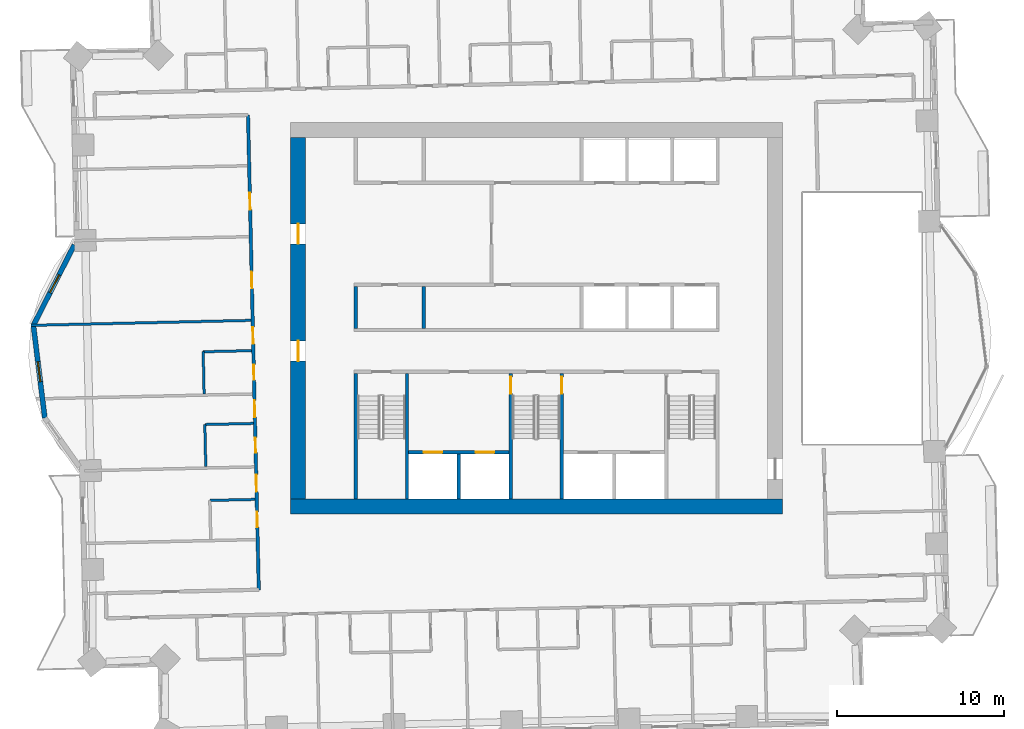
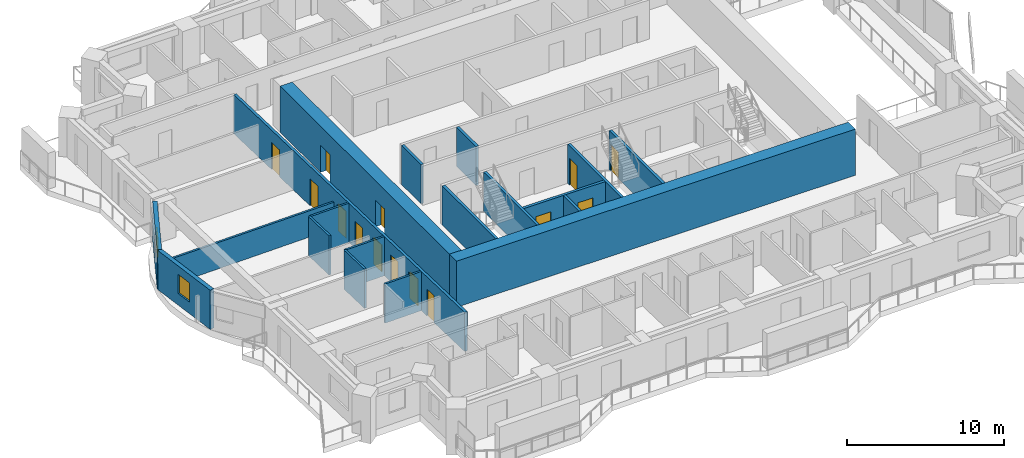
# One storey, part 7 of 16: 19 walls, 14 doors, 2 windows, 16 openings.
"""IFC4 building model written with IfcOpenShell, lengths in metres."""

from ifc_helpers import new_model, si_unit, direction, frame, frame_2d, origin, place, context, subcontext, project, spatial, rectangle, extrude, material, layer, layer_set, type_object, element, fill, save


model = new_model("IFC4")

# Units and contexts
model_context = context("Model", 3, precision=1e-05, world=origin(), true_north=direction((0.0, 1.0)))
body_context = subcontext(model_context, "Body", "Model", "MODEL_VIEW")
ifc_project = project(units=[si_unit("LENGTHUNIT", "METRE"), si_unit("AREAUNIT", "SQUARE_METRE"), si_unit("VOLUMEUNIT", "CUBIC_METRE"), si_unit("PLANEANGLEUNIT", "RADIAN"), si_unit("MASSUNIT", "GRAM", prefix="KILO")], contexts=[model_context])

# Site, building, storey
site_placement = place(None, origin())
site = spatial("IfcSite", under=ifc_project, at=site_placement, CompositionType="ELEMENT")
building_placement = place(site_placement, origin())
building = spatial("IfcBuilding", under=site, at=building_placement, Name="Mangrove Gate Tower", CompositionType="ELEMENT")
storey_placement = place(building_placement, frame((0.0, 0.0, 144.5)))
storey = spatial("IfcBuildingStorey", under=building, at=storey_placement, Name="L36", CompositionType="ELEMENT", Elevation=144.5)

# Walls
ifc_material_1 = material(Name="Concrete C32/40", Category="concrete")
ifc_layer_1 = layer(ifc_material_1, 0.199951171875)
ifc_layer_set_1 = layer_set([ifc_layer_1], Name="Core room wall 200 C32/40")
wall_type_1 = type_object("IfcWallType", Name="Core room wall 200 C32/40", PredefinedType="STANDARD", material=ifc_layer_set_1)
for number, where, z_axis, x_axis, name in (
    (1, (-10.800048828125, -0.60009765625, 0.0), (0.0, 0.0, 1.0), (0.0, 1.0, 0.0), "WALL-L36-CORE-19"),
    (2, (-6.75, -0.60009765625, 0.0), (0.0, 0.0, 1.0), (0.0, 1.0, 0.0), "WALL-L36-CORE-20"),
):
    element("IfcWall", number, at=place(storey_placement, frame(where, z_axis=z_axis, x_axis=x_axis)), inside=storey, type_object=wall_type_1, Name=name, PredefinedType="STANDARD", context=body_context, shape_type="SweptSolid", body=[
        extrude(rectangle(XDim=2.5, YDim=0.199951171875, at=frame_2d((1.25, 0.0))), origin(), (0.0, 0.0, 1.0), 3.050048828125),
    ])

# Wall, openings, doors
ifc_material_2 = material(Name="Concrete C70/85", Category="concrete")
ifc_layer_2 = layer(ifc_material_2, 0.199951171875)
ifc_layer_set_2 = layer_set([ifc_layer_2], Name="Core shaft wall 200 C70/85")
wall_type_2 = type_object("IfcWallType", Name="Core shaft wall 200 C70/85", PredefinedType="SHEAR", material=ifc_layer_set_2)
wall_1_placement = place(storey_placement, frame((-7.64990234375, -8.0, 0.0), z_axis=(0.0, 0.0, 1.0), x_axis=(1.0, 0.0, 0.0)))
wall_1 = element("IfcWall", 3, at=wall_1_placement, inside=storey, type_object=wall_type_2, Name="WALL-L36-CORE-15", PredefinedType="SHEAR", context=body_context, shape_type="SweptSolid", body=[
    extrude(rectangle(XDim=6.0, YDim=0.199951171875, at=frame_2d((3.0, 0.0))), origin(), (0.0, 0.0, 1.0), 3.050048828125),
])
opening_1_placement = place(wall_1_placement, frame((0.89990234375, 0.0, 0.0)))
opening_1 = element("IfcOpeningElement", 4, at=opening_1_placement, cuts=wall_1, Name="Opening LD", PredefinedType="OPENING", context=body_context, shape_type="SweptSolid", body=[
    extrude(rectangle(XDim=1.10009765625, YDim=2.10009765625, at=frame_2d((0.550048828125, 1.050048828125))), frame((0.0, 0.10986328125, 0.0), z_axis=(0.0, -1.0, 0.0), x_axis=(1.0, 0.0, 0.0)), (0.0, 0.0, 1.0), 0.219970703125),
])
opening_2_placement = place(wall_1_placement, frame((4.0, 0.0, 0.0)))
opening_2 = element("IfcOpeningElement", 5, at=opening_2_placement, cuts=wall_1, Name="Opening LD", PredefinedType="OPENING", context=body_context, shape_type="SweptSolid", body=[
    extrude(rectangle(XDim=1.10009765625, YDim=2.10009765625, at=frame_2d((0.550048828125, 1.050048828125))), frame((0.0, 0.10986328125, 0.0), z_axis=(0.0, -1.0, 0.0), x_axis=(1.0, 0.0, 0.0)), (0.0, 0.0, 1.0), 0.219970703125),
])
ifc_material_3 = material(Name="Stainless steel 316", Category="steel")
door_type_1 = type_object("IfcDoorType", Name="Lift landing door 1100x2100", OperationType="SLIDING_TO_LEFT", PredefinedType="DOOR", material=ifc_material_3)
door_1_placement = place(opening_1_placement, origin())
door_1 = element("IfcDoor", 6, at=door_1_placement, inside=storey, type_object=door_type_1, Name="Landing door LD SVL1", OperationType="SLIDING_TO_LEFT", OverallHeight=2.10009765625, OverallWidth=1.10009765625, PredefinedType="DOOR", context=body_context, shape_type="SweptSolid", body=[
    extrude(rectangle(XDim=1.10009765625, YDim=2.10009765625, at=frame_2d((0.550048828125, 1.050048828125))), frame((0.0, 0.02490234375, 0.0), z_axis=(0.0, -1.0, 0.0), x_axis=(1.0, 0.0, 0.0)), (0.0, 0.0, 1.0), 0.050048828125),
])
fill(opening_1, door_1)
door_2_placement = place(opening_2_placement, origin())
door_2 = element("IfcDoor", 7, at=door_2_placement, inside=storey, type_object=door_type_1, Name="Landing door LD SVL2", OperationType="SLIDING_TO_LEFT", OverallHeight=2.10009765625, OverallWidth=1.10009765625, PredefinedType="DOOR", context=body_context, shape_type="SweptSolid", body=[
    extrude(rectangle(XDim=1.10009765625, YDim=2.10009765625, at=frame_2d((0.550048828125, 1.050048828125))), frame((0.0, 0.02490234375, 0.0), z_axis=(0.0, -1.0, 0.0), x_axis=(1.0, 0.0, 0.0)), (0.0, 0.0, 1.0), 0.050048828125),
])
fill(opening_2, door_2)

# Walls
wall_2_placement = place(storey_placement, frame((-4.64990234375, -10.800048828125, 0.0), z_axis=(0.0, 0.0, 1.0), x_axis=(0.0, 1.0, 0.0)))
element("IfcWall", 8, at=wall_2_placement, inside=storey, type_object=wall_type_2, Name="WALL-L36-CORE-16", PredefinedType="SHEAR", context=body_context, shape_type="SweptSolid", body=[
    extrude(rectangle(XDim=2.699951171875, YDim=0.199951171875, at=frame_2d((1.35009765625, 0.0))), origin(), (0.0, 0.0, 1.0), 3.050048828125),
])
ifc_material_4 = material(Name="Concrete C70/85", Category="concrete")
ifc_layer_3 = layer(ifc_material_4, 0.199951171875)
ifc_layer_set_3 = layer_set([ifc_layer_3], Name="Core stair wall 200 C70/85")
wall_type_3 = type_object("IfcWallType", Name="Core stair wall 200 C70/85", PredefinedType="SHEAR", material=ifc_layer_set_3)
for number, where, z_axis, x_axis, name in (
    (9, (-10.800048828125, -10.800048828125, 0.0), (0.0, 0.0, 1.0), (0.0, 1.0, 0.0), "WALL-L36-CORE-9"),
    (10, (-7.75, -10.800048828125, 0.0), (0.0, 0.0, 1.0), (0.0, 1.0, 0.0), "WALL-L36-CORE-10"),
):
    element("IfcWall", number, at=place(storey_placement, frame(where, z_axis=z_axis, x_axis=x_axis)), inside=storey, type_object=wall_type_3, Name=name, PredefinedType="SHEAR", context=body_context, shape_type="SweptSolid", body=[
        extrude(rectangle(XDim=7.5, YDim=0.199951171875, at=frame_2d((3.75, 0.0))), origin(), (0.0, 0.0, 1.0), 3.050048828125),
    ])

# Wall, opening, door
wall_3_placement = place(storey_placement, frame((-1.550048828125, -10.800048828125, 0.0), z_axis=(0.0, 0.0, 1.0), x_axis=(0.0, 1.0, 0.0)))
wall_3 = element("IfcWall", 11, at=wall_3_placement, inside=storey, type_object=wall_type_3, Name="WALL-L36-CORE-11", PredefinedType="SHEAR", context=body_context, shape_type="SweptSolid", body=[
    extrude(rectangle(XDim=7.5, YDim=0.199951171875, at=frame_2d((3.75, 0.0))), origin(), (0.0, 0.0, 1.0), 3.050048828125),
])
opening_3_placement = place(wall_3_placement, frame((6.300048828125, 0.0, 0.0)))
opening_3 = element("IfcOpeningElement", 12, at=opening_3_placement, cuts=wall_3, Name="Opening STD10", PredefinedType="OPENING", context=body_context, shape_type="SweptSolid", body=[
    extrude(rectangle(XDim=1.0, YDim=2.10009765625, at=frame_2d((0.5, 1.050048828125))), frame((0.0, 0.10986328125, 0.0), z_axis=(0.0, -1.0, 0.0), x_axis=(1.0, 0.0, 0.0)), (0.0, 0.0, 1.0), 0.219970703125),
])
ifc_material_5 = material(Name="Fire-rated steel door set", Category="steel")
door_type_2 = type_object("IfcDoorType", Name="Stair door FD60 1000x2100", OperationType="SINGLE_SWING_RIGHT", PredefinedType="DOOR", material=ifc_material_5)
door_3_placement = place(opening_3_placement, origin())
door_3 = element("IfcDoor", 13, at=door_3_placement, inside=storey, type_object=door_type_2, Name="Stair door Stair 2 from service lobby", OperationType="SINGLE_SWING_RIGHT", OverallHeight=2.10009765625, OverallWidth=1.0, PredefinedType="DOOR", context=body_context, shape_type="SweptSolid", body=[
    extrude(rectangle(XDim=1.0, YDim=2.10009765625, at=frame_2d((0.5, 1.050048828125))), frame((0.0, 0.02490234375, 0.0), z_axis=(0.0, -1.0, 0.0), x_axis=(1.0, 0.0, 0.0)), (0.0, 0.0, 1.0), 0.050048828125),
])
fill(opening_3, door_3)

wall_4_placement = place(storey_placement, frame((1.5, -10.800048828125, 0.0), z_axis=(0.0, 0.0, 1.0), x_axis=(0.0, 1.0, 0.0)))
wall_4 = element("IfcWall", 14, at=wall_4_placement, inside=storey, type_object=wall_type_3, Name="WALL-L36-CORE-12", PredefinedType="SHEAR", context=body_context, shape_type="SweptSolid", body=[
    extrude(rectangle(XDim=7.5, YDim=0.199951171875, at=frame_2d((3.75, 0.0))), origin(), (0.0, 0.0, 1.0), 3.050048828125),
])
opening_4_placement = place(wall_4_placement, frame((6.300048828125, 0.0, 0.0)))
opening_4 = element("IfcOpeningElement", 15, at=opening_4_placement, cuts=wall_4, Name="Opening STD10", PredefinedType="OPENING", context=body_context, shape_type="SweptSolid", body=[
    extrude(rectangle(XDim=1.0, YDim=2.10009765625, at=frame_2d((0.5, 1.050048828125))), frame((0.0, 0.10986328125, 0.0), z_axis=(0.0, -1.0, 0.0), x_axis=(1.0, 0.0, 0.0)), (0.0, 0.0, 1.0), 0.219970703125),
])
door_4_placement = place(opening_4_placement, origin())
door_4 = element("IfcDoor", 16, at=door_4_placement, inside=storey, type_object=door_type_2, Name="Stair door Stair 2 from fire-fighting lobby", OperationType="SINGLE_SWING_RIGHT", OverallHeight=2.10009765625, OverallWidth=1.0, PredefinedType="DOOR", context=body_context, shape_type="SweptSolid", body=[
    extrude(rectangle(XDim=1.0, YDim=2.10009765625, at=frame_2d((0.5, 1.050048828125))), frame((0.0, 0.02490234375, 0.0), z_axis=(0.0, -1.0, 0.0), x_axis=(1.0, 0.0, 0.0)), (0.0, 0.0, 1.0), 0.050048828125),
])
fill(opening_4, door_4)

# Wall
ifc_material_6 = material(Name="Concrete C70/85", Category="concrete")
ifc_layer_4 = layer(ifc_material_6, 0.89990234375)
ifc_layer_set_4 = layer_set([ifc_layer_4], Name="Core wall 900 C70/85")
wall_type_4 = type_object("IfcWallType", Name="Core wall 900 C70/85", PredefinedType="SHEAR", material=ifc_layer_set_4)
wall_5_placement = place(storey_placement, frame((-14.699951171875, -11.25, 0.0), z_axis=(0.0, 0.0, 1.0), x_axis=(1.0, 0.0, 0.0)))
element("IfcWall", 17, at=wall_5_placement, inside=storey, type_object=wall_type_4, Name="WALL-L36-CORE-1", PredefinedType="SHEAR", context=body_context, shape_type="SweptSolid", body=[
    extrude(rectangle(XDim=29.39990234375, YDim=0.89990234375, at=frame_2d((14.699951171875, 0.0))), origin(), (0.0, 0.0, 1.0), 3.60009765625),
])

# Wall, openings, doors
wall_6_placement = place(storey_placement, frame((-14.25, -10.800048828125, 0.0), z_axis=(0.0, 0.0, 1.0), x_axis=(0.0, 1.0, 0.0)))
wall_6 = element("IfcWall", 18, at=wall_6_placement, inside=storey, type_object=wall_type_4, Name="WALL-L36-CORE-3", PredefinedType="SHEAR", context=body_context, shape_type="SweptSolid", body=[
    extrude(rectangle(XDim=21.60009765625, YDim=0.89990234375, at=frame_2d((10.800048828125, 0.0))), origin(), (0.0, 0.0, 1.0), 3.60009765625),
])
opening_5_placement = place(wall_6_placement, frame((8.25, 0.0, 0.0)))
opening_5 = element("IfcOpeningElement", 19, at=opening_5_placement, cuts=wall_6, Name="Opening CD", PredefinedType="OPENING", context=body_context, shape_type="SweptSolid", body=[
    extrude(rectangle(XDim=1.199951171875, YDim=2.10009765625, at=frame_2d((0.60009765625, 1.050048828125))), frame((0.0, 0.4599609375, 0.0), z_axis=(0.0, -1.0, 0.0), x_axis=(1.0, 0.0, 0.0)), (0.0, 0.0, 1.0), 0.919921875),
])
opening_6_placement = place(wall_6_placement, frame((15.25, 0.0, 0.0)))
opening_6 = element("IfcOpeningElement", 20, at=opening_6_placement, cuts=wall_6, Name="Opening CD", PredefinedType="OPENING", context=body_context, shape_type="SweptSolid", body=[
    extrude(rectangle(XDim=1.199951171875, YDim=2.10009765625, at=frame_2d((0.60009765625, 1.050048828125))), frame((0.0, 0.4599609375, 0.0), z_axis=(0.0, -1.0, 0.0), x_axis=(1.0, 0.0, 0.0)), (0.0, 0.0, 1.0), 0.919921875),
])
ifc_material_7 = material(Name="Fire-rated steel door set", Category="steel")
door_type_3 = type_object("IfcDoorType", Name="Core ring door FD60 1200x2100", OperationType="DOUBLE_DOOR_SINGLE_SWING", PredefinedType="DOOR", material=ifc_material_7)
door_5_placement = place(opening_5_placement, origin())
door_5 = element("IfcDoor", 21, at=door_5_placement, inside=storey, type_object=door_type_3, Name="Core ring door W1", OperationType="DOUBLE_DOOR_SINGLE_SWING", OverallHeight=2.10009765625, OverallWidth=1.199951171875, PredefinedType="DOOR", context=body_context, shape_type="SweptSolid", body=[
    extrude(rectangle(XDim=1.199951171875, YDim=2.10009765625, at=frame_2d((0.60009765625, 1.050048828125))), frame((0.0, 0.02490234375, 0.0), z_axis=(0.0, -1.0, 0.0), x_axis=(1.0, 0.0, 0.0)), (0.0, 0.0, 1.0), 0.050048828125),
])
fill(opening_5, door_5)
door_6_placement = place(opening_6_placement, origin())
door_6 = element("IfcDoor", 22, at=door_6_placement, inside=storey, type_object=door_type_3, Name="Core ring door W2", OperationType="DOUBLE_DOOR_SINGLE_SWING", OverallHeight=2.10009765625, OverallWidth=1.199951171875, PredefinedType="DOOR", context=body_context, shape_type="SweptSolid", body=[
    extrude(rectangle(XDim=1.199951171875, YDim=2.10009765625, at=frame_2d((0.60009765625, 1.050048828125))), frame((0.0, 0.02490234375, 0.0), z_axis=(0.0, -1.0, 0.0), x_axis=(1.0, 0.0, 0.0)), (0.0, 0.0, 1.0), 0.050048828125),
])
fill(opening_6, door_6)

ifc_material_8 = material(Name="Gypsum board on steel stud, EI 60", Category="steel")
ifc_layer_5 = layer(ifc_material_8, 0.199951171875)
ifc_layer_set_5 = layer_set([ifc_layer_5], Name="Corridor wall EI 60")
wall_type_5 = type_object("IfcWallType", Name="Corridor wall EI 60", PredefinedType="PARTITIONING", material=ifc_layer_set_5)
wall_7_placement = place(storey_placement, frame((-16.60302734375, -16.218017578125, 0.0), z_axis=(0.0, 0.0, 1.0), x_axis=(-0.022698146637, 0.999742363881, 0.0)))
wall_7 = element("IfcWall", 23, at=wall_7_placement, inside=storey, type_object=wall_type_5, Name="WALL-L36-029", PredefinedType="PARTITIONING", context=body_context, shape_type="SweptSolid", body=[
    extrude(rectangle(XDim=28.374267578125, YDim=0.199951171875, at=frame_2d((14.18701171875, 0.0))), origin(), (0.0, 0.0, 1.0), 3.050048828125),
])
opening_7_placement = place(wall_7_placement, frame((22.72412109375, 0.0, 0.0)))
opening_7 = element("IfcOpeningElement", 24, at=opening_7_placement, cuts=wall_7, Name="Opening AD", PredefinedType="OPENING", context=body_context, shape_type="SweptSolid", body=[
    extrude(rectangle(XDim=1.0, YDim=2.10009765625, at=frame_2d((0.5, 1.050048828125))), frame((0.0, 0.10986328125, 0.0), z_axis=(0.0, -1.0, 0.0), x_axis=(1.0, 0.0, 0.0)), (0.0, 0.0, 1.0), 0.219970703125),
])
opening_8_placement = place(wall_7_placement, frame((18.008056640625, 0.0, 0.0)))
opening_8 = element("IfcOpeningElement", 25, at=opening_8_placement, cuts=wall_7, Name="Opening AD", PredefinedType="OPENING", context=body_context, shape_type="SweptSolid", body=[
    extrude(rectangle(XDim=1.0, YDim=2.10009765625, at=frame_2d((0.5, 1.050048828125))), frame((0.0, 0.10986328125, 0.0), z_axis=(0.0, -1.0, 0.0), x_axis=(1.0, 0.0, 0.0)), (0.0, 0.0, 1.0), 0.219970703125),
])
opening_9_placement = place(wall_7_placement, frame((14.698974609375, 0.0, 0.0)))
opening_9 = element("IfcOpeningElement", 26, at=opening_9_placement, cuts=wall_7, Name="Opening AD", PredefinedType="OPENING", context=body_context, shape_type="SweptSolid", body=[
    extrude(rectangle(XDim=1.0, YDim=2.10009765625, at=frame_2d((0.5, 1.050048828125))), frame((0.0, 0.10986328125, 0.0), z_axis=(0.0, -1.0, 0.0), x_axis=(1.0, 0.0, 0.0)), (0.0, 0.0, 1.0), 0.219970703125),
])
opening_10_placement = place(wall_7_placement, frame((12.549072265625, 0.0, 0.0)))
opening_10 = element("IfcOpeningElement", 27, at=opening_10_placement, cuts=wall_7, Name="Opening SD", PredefinedType="OPENING", context=body_context, shape_type="SweptSolid", body=[
    extrude(rectangle(XDim=0.89990234375, YDim=2.10009765625, at=frame_2d((0.449951171875, 1.050048828125))), frame((0.0, 0.10986328125, 0.0), z_axis=(0.0, -1.0, 0.0), x_axis=(1.0, 0.0, 0.0)), (0.0, 0.0, 1.0), 0.219970703125),
])
opening_11_placement = place(wall_7_placement, frame((10.323974609375, 0.0, 0.0)))
opening_11 = element("IfcOpeningElement", 28, at=opening_11_placement, cuts=wall_7, Name="Opening AD", PredefinedType="OPENING", context=body_context, shape_type="SweptSolid", body=[
    extrude(rectangle(XDim=1.0, YDim=2.10009765625, at=frame_2d((0.5, 1.050048828125))), frame((0.0, 0.10986328125, 0.0), z_axis=(0.0, -1.0, 0.0), x_axis=(1.0, 0.0, 0.0)), (0.0, 0.0, 1.0), 0.219970703125),
])
opening_12_placement = place(wall_7_placement, frame((8.198974609375, 0.0, 0.0)))
opening_12 = element("IfcOpeningElement", 29, at=opening_12_placement, cuts=wall_7, Name="Opening SD", PredefinedType="OPENING", context=body_context, shape_type="SweptSolid", body=[
    extrude(rectangle(XDim=0.89990234375, YDim=2.10009765625, at=frame_2d((0.449951171875, 1.050048828125))), frame((0.0, 0.10986328125, 0.0), z_axis=(0.0, -1.0, 0.0), x_axis=(1.0, 0.0, 0.0)), (0.0, 0.0, 1.0), 0.219970703125),
])
opening_13_placement = place(wall_7_placement, frame((5.8740234375, 0.0, 0.0)))
opening_13 = element("IfcOpeningElement", 30, at=opening_13_placement, cuts=wall_7, Name="Opening AD", PredefinedType="OPENING", context=body_context, shape_type="SweptSolid", body=[
    extrude(rectangle(XDim=1.0, YDim=2.10009765625, at=frame_2d((0.5, 1.050048828125))), frame((0.0, 0.10986328125, 0.0), z_axis=(0.0, -1.0, 0.0), x_axis=(1.0, 0.0, 0.0)), (0.0, 0.0, 1.0), 0.219970703125),
])
opening_14_placement = place(wall_7_placement, frame((3.75, 0.0, 0.0)))
opening_14 = element("IfcOpeningElement", 31, at=opening_14_placement, cuts=wall_7, Name="Opening SD", PredefinedType="OPENING", context=body_context, shape_type="SweptSolid", body=[
    extrude(rectangle(XDim=0.89990234375, YDim=2.10009765625, at=frame_2d((0.449951171875, 1.050048828125))), frame((0.0, 0.10986328125, 0.0), z_axis=(0.0, -1.0, 0.0), x_axis=(1.0, 0.0, 0.0)), (0.0, 0.0, 1.0), 0.219970703125),
])
ifc_material_9 = material(Name="Timber door leaf", Category="wood")
door_type_4 = type_object("IfcDoorType", Name="Amenity door 1000", OperationType="SINGLE_SWING_LEFT", PredefinedType="DOOR", material=ifc_material_9)
door_7_placement = place(opening_7_placement, origin())
door_7 = element("IfcDoor", 32, at=door_7_placement, inside=storey, type_object=door_type_4, Name="DOOR-L36-GAM-c5a", OperationType="SINGLE_SWING_LEFT", OverallHeight=2.10009765625, OverallWidth=1.0, PredefinedType="DOOR", context=body_context, shape_type="SweptSolid", body=[
    extrude(rectangle(XDim=1.0, YDim=2.10009765625, at=frame_2d((0.5, 1.050048828125))), frame((0.0, 0.02490234375, 0.0), z_axis=(0.0, -1.0, 0.0), x_axis=(1.0, 0.0, 0.0)), (0.0, 0.0, 1.0), 0.050048828125),
])
fill(opening_7, door_7)
door_8_placement = place(opening_8_placement, origin())
door_8 = element("IfcDoor", 33, at=door_8_placement, inside=storey, type_object=door_type_4, Name="DOOR-L36-KIT-c5a", OperationType="SINGLE_SWING_RIGHT", OverallHeight=2.10009765625, OverallWidth=1.0, PredefinedType="DOOR", context=body_context, shape_type="SweptSolid", body=[
    extrude(rectangle(XDim=1.0, YDim=2.10009765625, at=frame_2d((0.5, 1.050048828125))), frame((0.0, 0.02490234375, 0.0), z_axis=(0.0, -1.0, 0.0), x_axis=(1.0, 0.0, 0.0)), (0.0, 0.0, 1.0), 0.050048828125),
])
fill(opening_8, door_8)
door_9_placement = place(opening_9_placement, origin())
door_9 = element("IfcDoor", 34, at=door_9_placement, inside=storey, type_object=door_type_4, Name="DOOR-L36-STU-c5b", OperationType="SINGLE_SWING_LEFT", OverallHeight=2.10009765625, OverallWidth=1.0, PredefinedType="DOOR", context=body_context, shape_type="SweptSolid", body=[
    extrude(rectangle(XDim=1.0, YDim=2.10009765625, at=frame_2d((0.5, 1.050048828125))), frame((0.0, 0.02490234375, 0.0), z_axis=(0.0, -1.0, 0.0), x_axis=(1.0, 0.0, 0.0)), (0.0, 0.0, 1.0), 0.050048828125),
])
fill(opening_9, door_9)
door_10_placement = place(opening_11_placement, origin())
door_10 = element("IfcDoor", 35, at=door_10_placement, inside=storey, type_object=door_type_4, Name="DOOR-L36-STU-c5c", OperationType="SINGLE_SWING_RIGHT", OverallHeight=2.10009765625, OverallWidth=1.0, PredefinedType="DOOR", context=body_context, shape_type="SweptSolid", body=[
    extrude(rectangle(XDim=1.0, YDim=2.10009765625, at=frame_2d((0.5, 1.050048828125))), frame((0.0, 0.02490234375, 0.0), z_axis=(0.0, -1.0, 0.0), x_axis=(1.0, 0.0, 0.0)), (0.0, 0.0, 1.0), 0.050048828125),
])
fill(opening_11, door_10)
door_11_placement = place(opening_13_placement, origin())
door_11 = element("IfcDoor", 36, at=door_11_placement, inside=storey, type_object=door_type_4, Name="DOOR-L36-GAM-c5b", OperationType="SINGLE_SWING_LEFT", OverallHeight=2.10009765625, OverallWidth=1.0, PredefinedType="DOOR", context=body_context, shape_type="SweptSolid", body=[
    extrude(rectangle(XDim=1.0, YDim=2.10009765625, at=frame_2d((0.5, 1.050048828125))), frame((0.0, 0.02490234375, 0.0), z_axis=(0.0, -1.0, 0.0), x_axis=(1.0, 0.0, 0.0)), (0.0, 0.0, 1.0), 0.050048828125),
])
fill(opening_13, door_11)
ifc_material_10 = material(Name="Timber door leaf", Category="wood")
door_type_5 = type_object("IfcDoorType", Name="Service room door 900", OperationType="SINGLE_SWING_LEFT", PredefinedType="DOOR", material=ifc_material_10)
door_12_placement = place(opening_10_placement, origin())
door_12 = element("IfcDoor", 37, at=door_12_placement, inside=storey, type_object=door_type_5, Name="DOOR-L36-AWC-c5a", OperationType="SINGLE_SWING_LEFT", OverallHeight=2.10009765625, OverallWidth=0.89990234375, PredefinedType="DOOR", context=body_context, shape_type="SweptSolid", body=[
    extrude(rectangle(XDim=0.89990234375, YDim=2.10009765625, at=frame_2d((0.449951171875, 1.050048828125))), frame((0.0, 0.02490234375, 0.0), z_axis=(0.0, -1.0, 0.0), x_axis=(1.0, 0.0, 0.0)), (0.0, 0.0, 1.0), 0.050048828125),
])
fill(opening_10, door_12)
door_13_placement = place(opening_12_placement, origin())
door_13 = element("IfcDoor", 38, at=door_13_placement, inside=storey, type_object=door_type_5, Name="DOOR-L36-AWC-c5b", OperationType="SINGLE_SWING_RIGHT", OverallHeight=2.10009765625, OverallWidth=0.89990234375, PredefinedType="DOOR", context=body_context, shape_type="SweptSolid", body=[
    extrude(rectangle(XDim=0.89990234375, YDim=2.10009765625, at=frame_2d((0.449951171875, 1.050048828125))), frame((0.0, 0.02490234375, 0.0), z_axis=(0.0, -1.0, 0.0), x_axis=(1.0, 0.0, 0.0)), (0.0, 0.0, 1.0), 0.050048828125),
])
fill(opening_12, door_13)
door_14_placement = place(opening_14_placement, origin())
door_14 = element("IfcDoor", 39, at=door_14_placement, inside=storey, type_object=door_type_5, Name="DOOR-L36-WC-c5a", OperationType="SINGLE_SWING_LEFT", OverallHeight=2.10009765625, OverallWidth=0.89990234375, PredefinedType="DOOR", context=body_context, shape_type="SweptSolid", body=[
    extrude(rectangle(XDim=0.89990234375, YDim=2.10009765625, at=frame_2d((0.449951171875, 1.050048828125))), frame((0.0, 0.02490234375, 0.0), z_axis=(0.0, -1.0, 0.0), x_axis=(1.0, 0.0, 0.0)), (0.0, 0.0, 1.0), 0.050048828125),
])
fill(opening_14, door_14)

# Wall, opening, window
ifc_material_11 = material(Name="Limestone", Category="masonry")
ifc_layer_6 = layer(ifc_material_11, 0.0400390625, Name="Limestone cladding")
ifc_material_12 = material(Name="Ventilated air gap")
ifc_layer_7 = layer(ifc_material_12, 0.0400390625, Name="Ventilated cavity")
ifc_material_13 = material(Name="Mineral wool insulation")
ifc_layer_8 = layer(ifc_material_13, 0.06005859375, Name="Insulation")
ifc_material_14 = material(Name="Breather membrane")
ifc_layer_9 = layer(ifc_material_14, 0.001953125, Name="Breather membrane")
ifc_material_15 = material(Name="Concrete C20/25 blockwork", Category="masonry")
ifc_layer_10 = layer(ifc_material_15, 0.14990234375, Name="Blockwork backing wall")
ifc_material_16 = material(Name="Gypsum plaster")
ifc_layer_11 = layer(ifc_material_16, 0.008056640625, Name="Internal plaster")
ifc_layer_set_6 = layer_set([ifc_layer_6, ifc_layer_7, ifc_layer_8, ifc_layer_9, ifc_layer_10, ifc_layer_11], Name="External wall 300 limestone cladding")
wall_type_6 = type_object("IfcWallType", Name="External wall 300 limestone cladding", PredefinedType="SOLIDWALL", material=ifc_layer_set_6)
wall_8_placement = place(storey_placement, frame((-27.625, 4.39208984375, 0.0), z_axis=(0.0, 0.0, 1.0), x_axis=(-0.45268572245, -0.891670138947, 0.0)))
wall_8 = element("IfcWall", 40, at=wall_8_placement, inside=storey, type_object=wall_type_6, Name="WALL-L36-W9f1", PredefinedType="SOLIDWALL", context=body_context, shape_type="SweptSolid", body=[
    extrude(rectangle(XDim=5.399169921875, YDim=0.300048828125, at=frame_2d((2.69970703125, 0.0))), origin(), (0.0, 0.0, 1.0), 3.050048828125),
])
opening_15_placement = place(wall_8_placement, frame((2.008056640625, 0.0, 0.89990234375)))
opening_15 = element("IfcOpeningElement", 41, at=opening_15_placement, cuts=wall_8, Name="Opening W1", PredefinedType="OPENING", context=body_context, shape_type="SweptSolid", body=[
    extrude(rectangle(XDim=1.199951171875, YDim=1.5, at=frame_2d((0.60009765625, 0.75))), frame((0.0, 0.159912109375, 0.0), z_axis=(0.0, -1.0, 0.0), x_axis=(1.0, 0.0, 0.0)), (0.0, 0.0, 1.0), 0.320068359375),
])
ifc_material_17 = material(Name="Aluminium frame with double-glazed low-e glass", Category="aluminium")
window_type = type_object("IfcWindowType", Name="Side lite 1200x1500", PartitioningType="SINGLE_PANEL", PredefinedType="WINDOW", material=ifc_material_17)
window_1_placement = place(opening_15_placement, origin())
window_1 = element("IfcWindow", 42, at=window_1_placement, inside=storey, type_object=window_type, Name="WIN-L36-W9f1", OverallHeight=1.5, OverallWidth=1.199951171875, PartitioningType="SINGLE_PANEL", PredefinedType="WINDOW", context=body_context, shape_type="SweptSolid", body=[
    extrude(rectangle(XDim=1.199951171875, YDim=1.5, at=frame_2d((0.60009765625, 0.75))), frame((0.0, 0.030029296875, 0.0), z_axis=(0.0, -1.0, 0.0), x_axis=(1.0, 0.0, 0.0)), (0.0, 0.0, 1.0), 0.06005859375),
])
fill(opening_15, window_1)

wall_9_placement = place(storey_placement, frame((-30.069091796875, -0.422119140625, 0.0), z_axis=(0.0, 0.0, 1.0), x_axis=(0.122206978992, -0.992504636909, 0.0)))
wall_9 = element("IfcWall", 43, at=wall_9_placement, inside=storey, type_object=wall_type_6, Name="WALL-L36-W9f2", PredefinedType="SOLIDWALL", context=body_context, shape_type="SweptSolid", body=[
    extrude(rectangle(XDim=5.57373046875, YDim=0.300048828125, at=frame_2d((2.786865234375, 0.0))), origin(), (0.0, 0.0, 1.0), 3.050048828125),
])
opening_16_placement = place(wall_9_placement, frame((2.18701171875, 0.0, 0.89990234375)))
opening_16 = element("IfcOpeningElement", 44, at=opening_16_placement, cuts=wall_9, Name="Opening W1", PredefinedType="OPENING", context=body_context, shape_type="SweptSolid", body=[
    extrude(rectangle(XDim=1.199951171875, YDim=1.5, at=frame_2d((0.60009765625, 0.75))), frame((0.0, 0.159912109375, 0.0), z_axis=(0.0, -1.0, 0.0), x_axis=(1.0, 0.0, 0.0)), (0.0, 0.0, 1.0), 0.320068359375),
])
window_2_placement = place(opening_16_placement, origin())
window_2 = element("IfcWindow", 45, at=window_2_placement, inside=storey, type_object=window_type, Name="WIN-L36-W9f2", OverallHeight=1.5, OverallWidth=1.199951171875, PartitioningType="SINGLE_PANEL", PredefinedType="WINDOW", context=body_context, shape_type="SweptSolid", body=[
    extrude(rectangle(XDim=1.199951171875, YDim=1.5, at=frame_2d((0.60009765625, 0.75))), frame((0.0, 0.030029296875, 0.0), z_axis=(0.0, -1.0, 0.0), x_axis=(1.0, 0.0, 0.0)), (0.0, 0.0, 1.0), 0.06005859375),
])
fill(opening_16, window_2)

# Walls
ifc_material_18 = material(Name="Gypsum board on steel stud, EI 60", Category="steel")
ifc_layer_12 = layer(ifc_material_18, 0.14990234375)
ifc_layer_set_7 = layer_set([ifc_layer_12], Name="Party wall 150 EI 60")
wall_type_7 = type_object("IfcWallType", Name="Party wall 150 EI 60", PredefinedType="PARTITIONING", material=ifc_layer_set_7)
wall_10_placement = place(storey_placement, frame((-19.52587890625, -10.87890625, 0.0), z_axis=(0.0, 0.0, 1.0), x_axis=(0.999746436932, 0.022518033722, 0.0)))
element("IfcWall", 46, at=wall_10_placement, inside=storey, type_object=wall_type_7, Name="WALL-L36-038", PredefinedType="PARTITIONING", context=body_context, shape_type="SweptSolid", body=[
    extrude(rectangle(XDim=2.69970703125, YDim=0.14990234375, at=frame_2d((1.349853515625, 0.0))), origin(), (0.0, 0.0, 1.0), 3.050048828125),
])
wall_11_placement = place(storey_placement, frame((-19.77099609375, -8.864013671875, 0.0), z_axis=(0.0, 0.0, 1.0), x_axis=(-0.022532486354, 0.9997461113, 0.0)))
element("IfcWall", 47, at=wall_11_placement, inside=storey, type_object=wall_type_7, Name="WALL-L36-040", PredefinedType="PARTITIONING", context=body_context, shape_type="SweptSolid", body=[
    extrude(rectangle(XDim=2.524658203125, YDim=0.14990234375, at=frame_2d((1.26220703125, 0.0))), origin(), (0.0, 0.0, 1.0), 3.050048828125),
])
wall_12_placement = place(storey_placement, frame((-19.8291015625, -6.344970703125, 0.0), z_axis=(0.0, 0.0, 1.0), x_axis=(0.999741618182, 0.022730967319, 0.0)))
element("IfcWall", 48, at=wall_12_placement, inside=storey, type_object=wall_type_7, Name="WALL-L36-041", PredefinedType="PARTITIONING", context=body_context, shape_type="SweptSolid", body=[
    extrude(rectangle(XDim=2.89990234375, YDim=0.14990234375, at=frame_2d((1.449951171875, 0.0))), origin(), (0.0, 0.0, 1.0), 3.050048828125),
])
wall_13_placement = place(storey_placement, frame((-19.8701171875, -4.514892578125, 0.0), z_axis=(0.0, 0.0, 1.0), x_axis=(-0.022532486354, 0.9997461113, 0.0)))
element("IfcWall", 49, at=wall_13_placement, inside=storey, type_object=wall_type_7, Name="WALL-L36-042", PredefinedType="PARTITIONING", context=body_context, shape_type="SweptSolid", body=[
    extrude(rectangle(XDim=2.524658203125, YDim=0.14990234375, at=frame_2d((1.26220703125, 0.0))), origin(), (0.0, 0.0, 1.0), 3.050048828125),
])
wall_14_placement = place(storey_placement, frame((-19.927978515625, -1.99609375, 0.0), z_axis=(0.0, 0.0, 1.0), x_axis=(0.999739657619, 0.022817032779, 0.0)))
element("IfcWall", 50, at=wall_14_placement, inside=storey, type_object=wall_type_7, Name="WALL-L36-044", PredefinedType="PARTITIONING", context=body_context, shape_type="SweptSolid", body=[
    extrude(rectangle(XDim=2.899658203125, YDim=0.14990234375, at=frame_2d((1.44970703125, 0.0))), origin(), (0.0, 0.0, 1.0), 3.050048828125),
])
wall_15_placement = place(storey_placement, frame((-30.218994140625, -0.4189453125, 0.0), z_axis=(0.0, 0.0, 1.0), x_axis=(0.99974353853, 0.022646349976, 0.0)))
element("IfcWall", 51, at=wall_15_placement, inside=storey, type_object=wall_type_7, Name="WALL-L36-045", PredefinedType="PARTITIONING", context=body_context, shape_type="SweptSolid", body=[
    extrude(rectangle(XDim=13.15234375, YDim=0.14990234375, at=frame_2d((6.576171875, 0.0))), origin(), (0.0, 0.0, 1.0), 2.050048828125),
])

save(model, "model.ifc")
